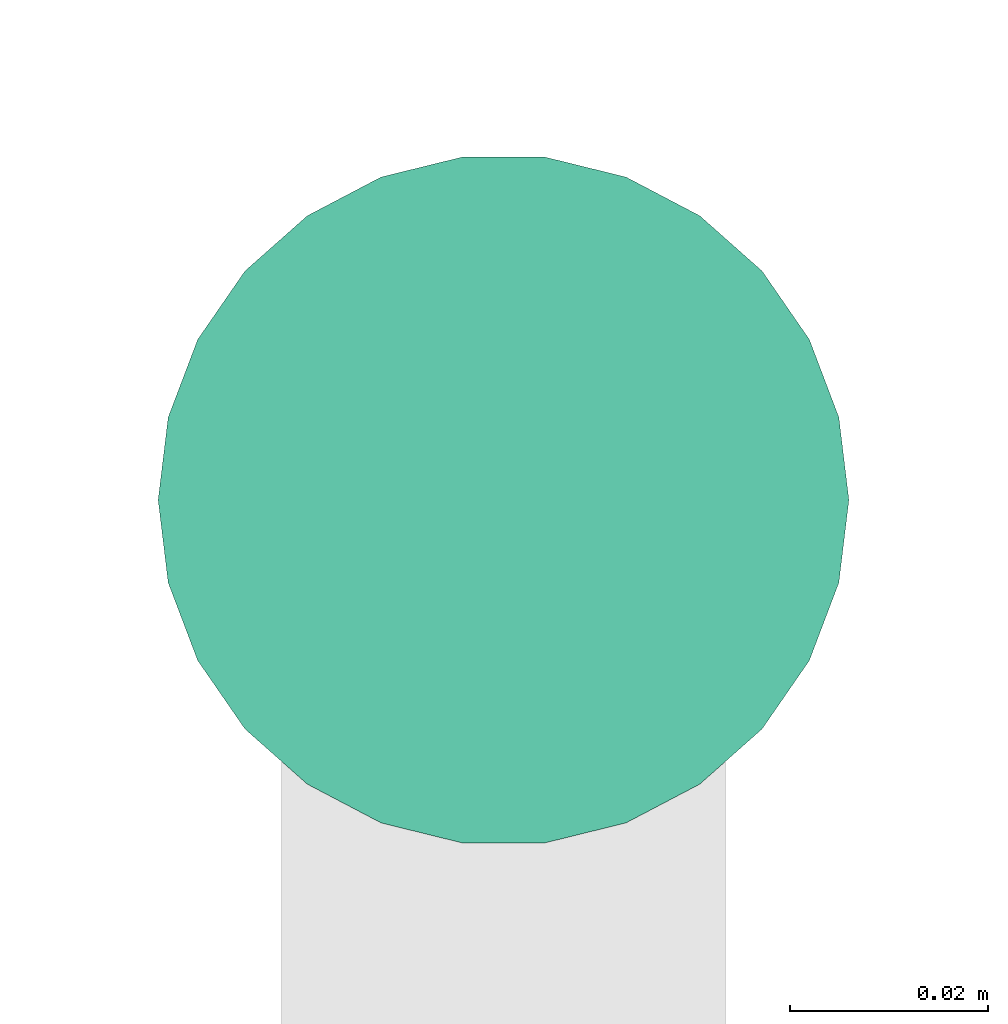
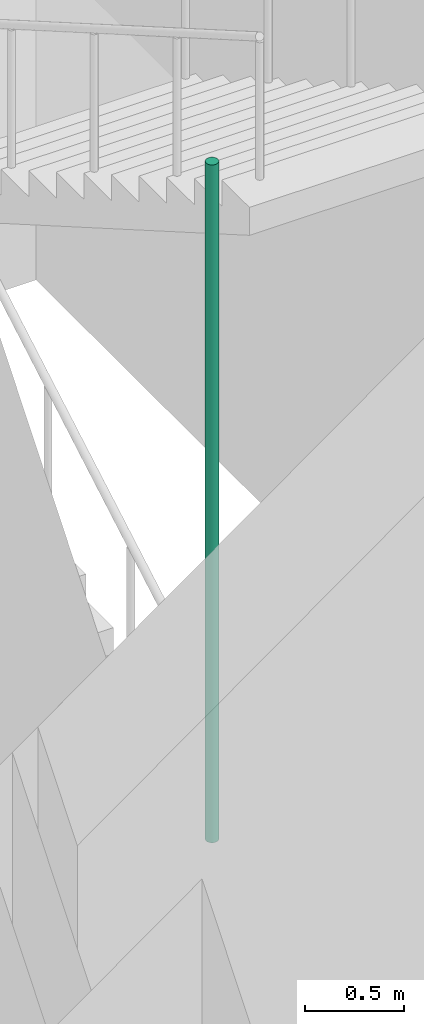
# One storey, part 33 of 37: 1 pipe segment.
"""IFC4 building model written with IfcOpenShell, lengths in metres."""

from ifc_helpers import new_model, si_unit, direction, frame, origin, origin_2d, place, context, subcontext, project, spatial, circle, extrude, element, save


model = new_model("IFC4")

# Units and contexts
model_context = context("Model", 3, precision=1e-05, world=origin(), true_north=direction((0.0, 1.0)))
body_context = subcontext(model_context, "Body", "Model", "MODEL_VIEW")
ifc_project = project(units=[si_unit("LENGTHUNIT", "METRE"), si_unit("AREAUNIT", "SQUARE_METRE"), si_unit("VOLUMEUNIT", "CUBIC_METRE"), si_unit("PLANEANGLEUNIT", "RADIAN"), si_unit("MASSUNIT", "GRAM", prefix="KILO")], contexts=[model_context])

# Site, building, storey
site_placement = place(None, origin())
site = spatial("IfcSite", under=ifc_project, at=site_placement, CompositionType="ELEMENT")
building_placement = place(site_placement, origin())
building = spatial("IfcBuilding", under=site, at=building_placement, Name="Nzadi Deep Aquarium and Research Tower", CompositionType="ELEMENT")
storey_placement = place(building_placement, frame((0.0, 0.0, 61.300048828125)))
storey = spatial("IfcBuildingStorey", under=building, at=storey_placement, Name="L12", CompositionType="ELEMENT", Elevation=61.300048828125)

# Pipe segment
pipe_segment_placement = place(storey_placement, frame((2.300048828125, 12.320068359375, 0.0), z_axis=(0.0, 0.0, 1.0), x_axis=(1.0, 0.0, 0.0)))
element("IfcPipeSegment", 1, at=pipe_segment_placement, inside=storey, Name="Dry riser ST-Z1-SW L12", PredefinedType="RIGIDSEGMENT", context=body_context, shape_type="SweptSolid", body=[
    extrude(circle(Radius=0.034912109375, at=origin_2d()), origin(), (0.0, 0.0, 1.0), 4.199951171875),
])

save(model, "model.ifc")
